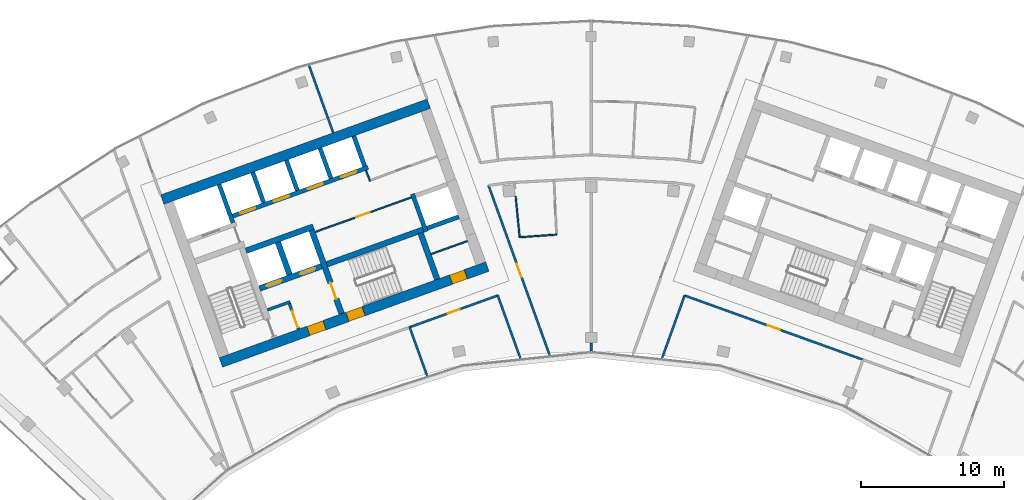
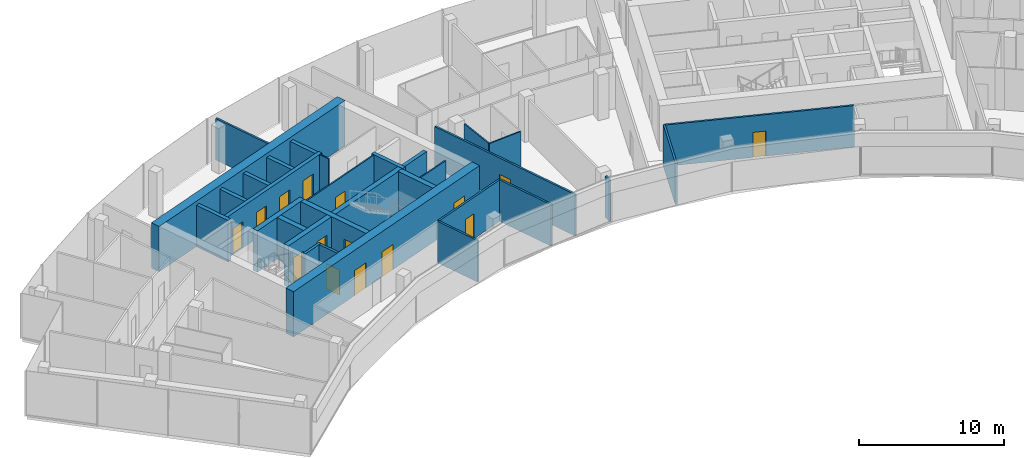
# One storey, part 13 of 18: 30 walls, 15 doors, 15 openings.
"""IFC4 building model written with IfcOpenShell, lengths in metres."""

import ifcopenshell
import ifcopenshell.guid

model = None  # the IFC model being written
_history = None  # IfcOwnerHistory: only IFC2X3 demands one
_inside = {}  # id of a spatial element -> (the spatial element, [elements in it])
_under = {}  # id of a project, library or spatial element -> (it, [spatial elements below it])
_declared = {}  # id of a project -> (the project, [libraries it declares])
_typed = {}  # id of a type object -> (the type object, [elements of that type])
_made_of = {}  # id of a material, layer set ... -> (it, [elements and type objects made of it])


def new_model(schema):
    """Start an empty IFC model of exactly this schema.

    Asked for "IFC4X3", IfcOpenShell would pick the latest addendum, in which some entities
    have other attributes; the version numbers below select the first issue.
    IFC2X3 requires an IfcOwnerHistory on every rooted entity: one is made here for all.
    """
    global model, _history
    if schema == "IFC4X3":
        model = ifcopenshell.file(schema_version=(4, 3, 0, 0))
    else:
        model = ifcopenshell.file(schema=schema)
    _inside.clear()
    _under.clear()
    _declared.clear()
    _typed.clear()
    _made_of.clear()
    _history = None
    if model.schema == "IFC2X3":
        org = make("IfcOrganization", Name="unknown")
        user = make(
            "IfcPersonAndOrganization",
            ThePerson=make("IfcPerson", FamilyName="unknown"),
            TheOrganization=org,
        )
        app = make(
            "IfcApplication",
            ApplicationDeveloper=org,
            Version="unknown",
            ApplicationFullName="unknown",
            ApplicationIdentifier="unknown",
        )
        _history = make(
            "IfcOwnerHistory",
            OwningUser=user,
            OwningApplication=app,
            ChangeAction="ADDED",
            CreationDate=0,
        )
    return model


def make(cls, **values):
    """One entity of the class cls with the attributes given. An attribute that is None is left unset."""
    return model.create_entity(
        cls, **{name: value for name, value in values.items() if value is not None}
    )


def rooted(cls, **values):
    """An entity with a GlobalId (a new one), such as an element, a storey or a relation."""
    return make(cls, GlobalId=ifcopenshell.guid.new(), OwnerHistory=_history, **values)


def si_unit(unit_type, name, prefix=None):
    """IfcSIUnit, for example si_unit("LENGTHUNIT", "METRE", prefix="MILLI")."""
    return make("IfcSIUnit", UnitType=unit_type, Prefix=prefix, Name=name)


def assignment(units):
    """IfcUnitAssignment: the units of a project."""
    return None if units is None else make("IfcUnitAssignment", Units=units)


def point(xyz):
    """IfcCartesianPoint."""
    return None if xyz is None else make("IfcCartesianPoint", Coordinates=xyz)


def direction(xyz):
    """IfcDirection."""
    return None if xyz is None else make("IfcDirection", DirectionRatios=xyz)


def frame(location, z_axis=None, x_axis=None):
    """IfcAxis2Placement3D, a coordinate frame: its origin and axes. An axis left out is left unset."""
    return make(
        "IfcAxis2Placement3D",
        Location=point(location),
        Axis=direction(z_axis),
        RefDirection=direction(x_axis),
    )


def frame_2d(location, x_axis=None):
    """IfcAxis2Placement2D, a coordinate frame in the plane: its origin and x axis."""
    return make(
        "IfcAxis2Placement2D", Location=point(location), RefDirection=direction(x_axis)
    )


def origin():
    """The frame at (0, 0, 0) with its axes left unset."""
    return frame((0.0, 0.0, 0.0))


def place(relative_to, where):
    """IfcLocalPlacement: puts the frame where relative to a parent placement (None: the world)."""
    return make(
        "IfcLocalPlacement", PlacementRelTo=relative_to, RelativePlacement=where
    )


def context(
    kind, dimensions, precision=None, world=None, true_north=None, identifier=None
):
    """IfcGeometricRepresentationContext, for example the 3D "Model" context."""
    return make(
        "IfcGeometricRepresentationContext",
        ContextIdentifier=identifier,
        ContextType=kind,
        CoordinateSpaceDimension=dimensions,
        Precision=precision,
        WorldCoordinateSystem=world,
        TrueNorth=true_north,
    )


def subcontext(parent, identifier, kind, view, scale=None):
    """IfcGeometricRepresentationSubContext, for example "Body" below "Model"."""
    return make(
        "IfcGeometricRepresentationSubContext",
        ContextIdentifier=identifier,
        ContextType=kind,
        ParentContext=parent,
        TargetScale=scale,
        TargetView=view,
    )


def project(units=None, contexts=None):
    """IfcProject with its units and contexts."""
    return rooted(
        "IfcProject",
        Name="project",
        RepresentationContexts=contexts,
        UnitsInContext=assignment(units),
    )


def spatial(cls, under=None, at=None, **own):
    """A site, building, storey or space (cls), placed at a placement, below another one or the project."""
    s = rooted(cls, ObjectPlacement=at, **own)
    if under is not None:
        _under.setdefault(under.id(), (under, []))[1].append(s)
    return s


def profile(cls, at=None, kind="AREA", **sizes):
    """A parametric profile (cls). Its sizes go by their IFC names, for example OverallWidth=200.0."""
    return make(cls, ProfileType=kind, Position=at, **sizes)


def rectangle(**sizes):
    """IfcRectangleProfileDef."""
    return profile("IfcRectangleProfileDef", **sizes)


def extrude(swept, where, along, depth):
    """IfcExtrudedAreaSolid: the profile swept, set in the frame where, extruded along a direction by depth."""
    return make(
        "IfcExtrudedAreaSolid",
        SweptArea=swept,
        Position=where,
        ExtrudedDirection=direction(along),
        Depth=depth,
    )


def shape(context_of_items, identifier, shape_type, items):
    """IfcShapeRepresentation: the items that make up one representation, for example the "Body"."""
    return make(
        "IfcShapeRepresentation",
        ContextOfItems=context_of_items,
        RepresentationIdentifier=identifier,
        RepresentationType=shape_type,
        Items=items,
    )


def material(Name=None, Category=None):
    """IfcMaterial."""
    return make("IfcMaterial", Name=Name, Category=Category)


def layer(
    of_material, thickness, ventilated=None, Name=None, Category=None, Priority=None
):
    """IfcMaterialLayer: one layer of a wall or slab, of a material (None: an air gap)."""
    return make(
        "IfcMaterialLayer",
        Material=of_material,
        LayerThickness=thickness,
        IsVentilated=ventilated,
        Name=Name,
        Category=Category,
        Priority=Priority,
    )


def layer_set(layers, Name=None):
    """IfcMaterialLayerSet."""
    return make("IfcMaterialLayerSet", MaterialLayers=layers, LayerSetName=Name)


def made_of(thing, what):
    """Note that an element or type object is made of a material, layer set ...; save() writes the relation."""
    if what is not None:
        _made_of.setdefault(what.id(), (what, []))[1].append(thing)
    return thing


def type_object(cls, material=None, **own):
    """A type object (cls), such as IfcWallType, which elements share."""
    return made_of(rooted(cls, **own), material)


def element(
    cls,
    number,
    at=None,
    inside=None,
    cuts=None,
    type_object=None,
    material=None,
    context=None,
    identifier="Body",
    shape_type=None,
    held_by="IfcProductDefinitionShape",
    body=None,
    shapes=None,
    **own,
):
    """One element of the class cls, such as IfcWall. Its Tag is "e" and its number.

    at: its placement. inside: the storey or other place that contains it. cuts: it is an
    opening in that element (IfcRelVoidsElement). A single representation is given by context,
    identifier, shape_type and body (its items); several are given by shapes. held_by: the class
    of the entity that holds the representations. save() writes the other relations.
    """
    e = rooted(cls, Tag="e%d" % number, ObjectPlacement=at, **own)
    if body is not None:
        shapes = [shape(context, identifier, shape_type, body)]
    if shapes is not None:
        e.Representation = make(held_by, Representations=shapes)
    if inside is not None:
        _inside.setdefault(inside.id(), (inside, []))[1].append(e)
    if cuts is not None:
        rooted(
            "IfcRelVoidsElement", RelatingBuildingElement=cuts, RelatedOpeningElement=e
        )
    if type_object is not None:
        _typed.setdefault(type_object.id(), (type_object, []))[1].append(e)
    return made_of(e, material)


def fill(opening, filler):
    """IfcRelFillsElement: the door or window that sits in an opening."""
    return rooted(
        "IfcRelFillsElement",
        RelatingOpeningElement=opening,
        RelatedBuildingElement=filler,
    )


def aggregate(whole, parts):
    """IfcRelAggregates: a whole, such as a stair, and the parts it consists of."""
    return rooted("IfcRelAggregates", RelatingObject=whole, RelatedObjects=parts)


def save(model, path):
    """Write the relations noted so far, then the file.

    IfcRelAggregates (storeys below a building ...), IfcRelContainedInSpatialStructure (elements
    in a storey), IfcRelDefinesByType, IfcRelAssociatesMaterial and IfcRelDeclares: one each for
    every whole, place, type object, material and project.
    """
    for whole, parts in _under.values():
        aggregate(whole, parts)
    for where, things in _inside.values():
        rooted(
            "IfcRelContainedInSpatialStructure",
            RelatedElements=things,
            RelatingStructure=where,
        )
    for kind, things in _typed.values():
        rooted("IfcRelDefinesByType", RelatedObjects=things, RelatingType=kind)
    for what, things in _made_of.values():
        rooted("IfcRelAssociatesMaterial", RelatedObjects=things, RelatingMaterial=what)
    for by, libraries in _declared.values():
        rooted("IfcRelDeclares", RelatingContext=by, RelatedDefinitions=libraries)
    model.write(path)


model = new_model("IFC4")

# Units and contexts
model_context = context("Model", 3, precision=1e-05, world=origin(), true_north=direction((0.0, 1.0)))
body_context = subcontext(model_context, "Body", "Model", "MODEL_VIEW")
ifc_project = project(units=[si_unit("LENGTHUNIT", "METRE"), si_unit("AREAUNIT", "SQUARE_METRE"), si_unit("VOLUMEUNIT", "CUBIC_METRE"), si_unit("PLANEANGLEUNIT", "RADIAN"), si_unit("MASSUNIT", "GRAM", prefix="KILO")], contexts=[model_context])

# Site, building, storey
site_placement = place(None, origin())
site = spatial("IfcSite", under=ifc_project, at=site_placement, CompositionType="ELEMENT")
building_placement = place(site_placement, origin())
building = spatial("IfcBuilding", under=site, at=building_placement, Name="Stone Belt Terrace Tower", CompositionType="ELEMENT")
storey_placement = place(building_placement, frame((0.0, 0.0, 288.39990234375)))
storey = spatial("IfcBuildingStorey", under=building, at=storey_placement, Name="L70", CompositionType="ELEMENT", Elevation=288.39990234375)

# Wall, opening, door
ifc_material_1 = material(Name="Plasterboard partition")
ifc_layer_1 = layer(ifc_material_1, 0.10009765625)
ifc_layer_set_1 = layer_set([ifc_layer_1], Name="Core partition 100")
wall_type_1 = type_object("IfcWallType", Name="Core partition 100", PredefinedType="PARTITIONING", material=ifc_layer_set_1)
wall_1_placement = place(storey_placement, frame((-19.29052734375, 51.829833984375, 0.0), z_axis=(0.0, 0.0, 1.0), x_axis=(0.94092179465, 0.338623945331, 0.0)))
wall_1 = element("IfcWall", 1, at=wall_1_placement, inside=storey, type_object=wall_type_1, Name="Core A wall", PredefinedType="PARTITIONING", context=body_context, shape_type="SweptSolid", body=[
    extrude(rectangle(XDim=7.14990234375, YDim=0.10009765625, at=frame_2d((3.574951171875, 0.0))), origin(), (0.0, 0.0, 1.0), 3.47998046875),
])
opening_1_placement = place(wall_1_placement, frame((3.050048828125, 0.0, 0.0)))
opening_1 = element("IfcOpeningElement", 2, at=opening_1_placement, cuts=wall_1, Name="Opening L70-C02", PredefinedType="OPENING", context=body_context, shape_type="SweptSolid", body=[
    extrude(rectangle(XDim=1.0, YDim=2.10009765625, at=frame_2d((0.5, 1.050048828125))), frame((0.0, 0.06005859375, 0.0), z_axis=(0.0, -1.0, 0.0), x_axis=(1.0, 0.0, 0.0)), (0.0, 0.0, 1.0), 0.1201171875),
])
ifc_material_2 = material(Name="Timber door leaf", Category="wood")
door_type_1 = type_object("IfcDoorType", Name="Core room door 1000", OperationType="SINGLE_SWING_LEFT", PredefinedType="DOOR", material=ifc_material_2)
door_1_placement = place(opening_1_placement, origin())
door_1 = element("IfcDoor", 3, at=door_1_placement, inside=storey, type_object=door_type_1, Name="Door to Plant room core A", OperationType="SINGLE_SWING_RIGHT", OverallHeight=2.10009765625, OverallWidth=1.0, PredefinedType="DOOR", context=body_context, shape_type="SweptSolid", body=[
    extrude(rectangle(XDim=1.0, YDim=2.10009765625, at=frame_2d((0.5, 1.050048828125))), frame((0.0, 0.02490234375, 0.0), z_axis=(0.0, -1.0, 0.0), x_axis=(1.0, 0.0, 0.0)), (0.0, 0.0, 1.0), 0.050048828125),
])
fill(opening_1, door_1)

# Walls
wall_2_placement = place(storey_placement, frame((-15.46826171875, 55.384033203125, 0.0), z_axis=(0.0, 0.0, 1.0), x_axis=(-0.338481684961, 0.940972979923, 0.0)))
element("IfcWall", 4, at=wall_2_placement, inside=storey, type_object=wall_type_1, Name="Core A wall", PredefinedType="PARTITIONING", context=body_context, shape_type="SweptSolid", body=[
    extrude(rectangle(XDim=0.7998046875, YDim=0.10009765625, at=frame_2d((0.39990234375, 0.0))), origin(), (0.0, 0.0, 1.0), 3.47998046875),
])
wall_3_placement = place(storey_placement, frame((-11.187744140625, 50.2822265625, 0.0), z_axis=(0.0, 0.0, 1.0), x_axis=(0.940949642365, 0.338546555931, 0.0)))
element("IfcWall", 5, at=wall_3_placement, inside=storey, type_object=wall_type_1, Name="Core A wall", PredefinedType="PARTITIONING", context=body_context, shape_type="SweptSolid", body=[
    extrude(rectangle(XDim=2.699951171875, YDim=0.10009765625, at=frame_2d((1.35009765625, 0.0))), origin(), (0.0, 0.0, 1.0), 3.47998046875),
])

# Wall, openings, doors
ifc_material_3 = material(Name="Concrete B60", Category="concrete")
ifc_layer_2 = layer(ifc_material_3, 0.699951171875)
ifc_layer_set_2 = layer_set([ifc_layer_2], Name="Core wall 700 B60")
wall_type_2 = type_object("IfcWallType", Name="Core wall 700 B60", PredefinedType="SHEAR", material=ifc_layer_set_2)
wall_4_placement = place(storey_placement, frame((-25.890869140625, 42.705810546875, 0.0), z_axis=(0.0, 0.0, 1.0), x_axis=(0.940925130461, 0.338614676094, 0.0)))
wall_4 = element("IfcWall", 6, at=wall_4_placement, inside=storey, type_object=wall_type_2, Name="Core A wall concave L70", PredefinedType="SHEAR", context=body_context, shape_type="SweptSolid", body=[
    extrude(rectangle(XDim=19.800048828125, YDim=0.699951171875, at=frame_2d((9.89990234375, 0.0))), origin(), (0.0, 0.0, 1.0), 3.800048828125),
])
opening_2_placement = place(wall_4_placement, frame((6.5, 0.0, 0.0)))
opening_2 = element("IfcOpeningElement", 7, at=opening_2_placement, cuts=wall_4, Name="Opening L70-C07", PredefinedType="OPENING", context=body_context, shape_type="SweptSolid", body=[
    extrude(rectangle(XDim=1.199951171875, YDim=2.10009765625, at=frame_2d((0.60009765625, 1.050048828125))), frame((0.0, 0.35986328125, 0.0), z_axis=(0.0, -1.0, 0.0), x_axis=(1.0, 0.0, 0.0)), (0.0, 0.0, 1.0), 0.719970703125),
])
opening_3_placement = place(wall_4_placement, frame((9.39990234375, 0.0, 0.0)))
opening_3 = element("IfcOpeningElement", 8, at=opening_3_placement, cuts=wall_4, Name="Opening L70-C09", PredefinedType="OPENING", context=body_context, shape_type="SweptSolid", body=[
    extrude(rectangle(XDim=1.199951171875, YDim=2.10009765625, at=frame_2d((0.60009765625, 1.050048828125))), frame((0.0, 0.35986328125, 0.0), z_axis=(0.0, -1.0, 0.0), x_axis=(1.0, 0.0, 0.0)), (0.0, 0.0, 1.0), 0.719970703125),
])
opening_4_placement = place(wall_4_placement, frame((17.10009765625, 0.0, 0.0)))
opening_4 = element("IfcOpeningElement", 9, at=opening_4_placement, cuts=wall_4, Name="Opening L70-C11", PredefinedType="OPENING", context=body_context, shape_type="SweptSolid", body=[
    extrude(rectangle(XDim=1.10009765625, YDim=2.10009765625, at=frame_2d((0.550048828125, 1.050048828125))), frame((0.0, 0.35986328125, 0.0), z_axis=(0.0, -1.0, 0.0), x_axis=(1.0, 0.0, 0.0)), (0.0, 0.0, 1.0), 0.719970703125),
])
door_type_2 = type_object("IfcDoorType", Name="Core room door 1100", OperationType="SINGLE_SWING_LEFT", PredefinedType="DOOR", material=ifc_material_2)
door_2_placement = place(opening_4_placement, origin())
door_2 = element("IfcDoor", 10, at=door_2_placement, inside=storey, type_object=door_type_2, Name="Door to Cleaner's store core A", OperationType="SINGLE_SWING_RIGHT", OverallHeight=2.10009765625, OverallWidth=1.10009765625, PredefinedType="DOOR", context=body_context, shape_type="SweptSolid", body=[
    extrude(rectangle(XDim=1.10009765625, YDim=2.10009765625, at=frame_2d((0.550048828125, 1.050048828125))), frame((0.0, 0.330078125, 0.0), z_axis=(0.0, -1.0, 0.0), x_axis=(1.0, 0.0, 0.0)), (0.0, 0.0, 1.0), 0.659912109375),
])
fill(opening_4, door_2)
ifc_material_4 = material(Name="Steel door leaf", Category="steel")
door_type_3 = type_object("IfcDoorType", Name="Fire-fighting lobby door 1200", OperationType="SINGLE_SWING_LEFT", PredefinedType="DOOR", material=ifc_material_4)
door_3_placement = place(opening_2_placement, origin())
door_3 = element("IfcDoor", 11, at=door_3_placement, inside=storey, type_object=door_type_3, Name="Fire-fighting lobby door core A", OperationType="SINGLE_SWING_RIGHT", OverallHeight=2.10009765625, OverallWidth=1.199951171875, PredefinedType="DOOR", context=body_context, shape_type="SweptSolid", body=[
    extrude(rectangle(XDim=1.199951171875, YDim=2.10009765625, at=frame_2d((0.60009765625, 1.050048828125))), frame((0.0, 0.330078125, 0.0), z_axis=(0.0, -1.0, 0.0), x_axis=(1.0, 0.0, 0.0)), (0.0, 0.0, 1.0), 0.659912109375),
])
fill(opening_2, door_3)
door_type_4 = type_object("IfcDoorType", Name="Stair door 1200", OperationType="SINGLE_SWING_LEFT", PredefinedType="DOOR", material=ifc_material_4)
door_4_placement = place(opening_3_placement, origin())
door_4 = element("IfcDoor", 12, at=door_4_placement, inside=storey, type_object=door_type_4, Name="Stair 2 exit door core A", OperationType="SINGLE_SWING_LEFT", OverallHeight=2.10009765625, OverallWidth=1.199951171875, PredefinedType="DOOR", context=body_context, shape_type="SweptSolid", body=[
    extrude(rectangle(XDim=1.199951171875, YDim=2.10009765625, at=frame_2d((0.60009765625, 1.050048828125))), frame((0.0, 0.330078125, 0.0), z_axis=(0.0, -1.0, 0.0), x_axis=(1.0, 0.0, 0.0)), (0.0, 0.0, 1.0), 0.659912109375),
])
fill(opening_3, door_4)

# Walls
wall_5_placement = place(storey_placement, frame((-29.988037109375, 54.0908203125, 0.0), z_axis=(0.0, 0.0, 1.0), x_axis=(0.940919787944, 0.33862952124, 0.0)))
element("IfcWall", 13, at=wall_5_placement, inside=storey, type_object=wall_type_2, Name="Core A wall convex L70", PredefinedType="SHEAR", context=body_context, shape_type="SweptSolid", body=[
    extrude(rectangle(XDim=19.7998046875, YDim=0.699951171875, at=frame_2d((9.89990234375, 0.0))), origin(), (0.0, 0.0, 1.0), 3.800048828125),
])
ifc_material_5 = material(Name="Concrete B80", Category="concrete")
ifc_layer_3 = layer(ifc_material_5, 0.39990234375)
ifc_layer_set_3 = layer_set([ifc_layer_3], Name="Fire-fighting lift shaft wall 400")
wall_type_3 = type_object("IfcWallType", Name="Fire-fighting lift shaft wall 400", PredefinedType="SHEAR", material=ifc_layer_set_3)
wall_6_placement = place(storey_placement, frame((-24.130615234375, 50.512939453125, 0.0), z_axis=(0.0, 0.0, 1.0), x_axis=(0.94091168377, 0.338652038744, 0.0)))
element("IfcWall", 14, at=wall_6_placement, inside=storey, type_object=wall_type_3, Name="Core A wall", PredefinedType="SHEAR", context=body_context, shape_type="SweptSolid", body=[
    extrude(rectangle(XDim=5.000244140625, YDim=0.39990234375, at=frame_2d((2.5, 0.0))), origin(), (0.0, 0.0, 1.0), 3.47998046875),
])
wall_7_placement = place(storey_placement, frame((-21.0859375, 48.845458984375, 0.0), z_axis=(0.0, 0.0, 1.0), x_axis=(-0.338629416206, 0.940919825745, 0.0)))
element("IfcWall", 15, at=wall_7_placement, inside=storey, type_object=wall_type_3, Name="Core A wall", PredefinedType="SHEAR", context=body_context, shape_type="SweptSolid", body=[
    extrude(rectangle(XDim=2.400146484375, YDim=0.39990234375, at=frame_2d((1.2001953125, 0.0))), origin(), (0.0, 0.0, 1.0), 3.47998046875),
])
ifc_layer_4 = layer(ifc_material_5, 0.300048828125)
ifc_layer_set_4 = layer_set([ifc_layer_4], Name="Lift shaft wall 300")
wall_type_4 = type_object("IfcWallType", Name="Lift shaft wall 300", PredefinedType="SHEAR", material=ifc_layer_set_4)
wall_8_placement = place(storey_placement, frame((-25.046875, 52.46826171875, 0.0), z_axis=(0.0, 0.0, 1.0), x_axis=(-0.338549588058, 0.940948551423, 0.0)))
element("IfcWall", 16, at=wall_8_placement, inside=storey, type_object=wall_type_4, Name="Core A wall", PredefinedType="SHEAR", context=body_context, shape_type="SweptSolid", body=[
    extrude(rectangle(XDim=2.849853515625, YDim=0.300048828125, at=frame_2d((1.4248046875, 0.0))), origin(), (0.0, 0.0, 1.0), 3.47998046875),
])

# Wall, openings, doors
wall_9_placement = place(storey_placement, frame((-25.05810546875, 52.9423828125, 0.0), z_axis=(0.0, 0.0, 1.0), x_axis=(0.940917446785, 0.338636026339, 0.0)))
wall_9 = element("IfcWall", 17, at=wall_9_placement, inside=storey, type_object=wall_type_4, Name="Core A wall", PredefinedType="SHEAR", context=body_context, shape_type="SweptSolid", body=[
    extrude(rectangle(XDim=10.050048828125, YDim=0.300048828125, at=frame_2d((5.02490234375, 0.0))), origin(), (0.0, 0.0, 1.0), 3.47998046875),
])
opening_5_placement = place(wall_9_placement, frame((0.570068359375, 0.0, 0.0)))
opening_5 = element("IfcOpeningElement", 18, at=opening_5_placement, cuts=wall_9, Name="Opening L70-LD01", PredefinedType="OPENING", context=body_context, shape_type="SweptSolid", body=[
    extrude(rectangle(XDim=1.10009765625, YDim=2.199951171875, at=frame_2d((0.550048828125, 1.10009765625))), frame((0.0, 0.159912109375, 0.0), z_axis=(0.0, -1.0, 0.0), x_axis=(1.0, 0.0, 0.0)), (0.0, 0.0, 1.0), 0.320068359375),
])
opening_6_placement = place(wall_9_placement, frame((3.070068359375, 0.0, 0.0)))
opening_6 = element("IfcOpeningElement", 19, at=opening_6_placement, cuts=wall_9, Name="Opening L70-LD02", PredefinedType="OPENING", context=body_context, shape_type="SweptSolid", body=[
    extrude(rectangle(XDim=1.10009765625, YDim=2.199951171875, at=frame_2d((0.550048828125, 1.10009765625))), frame((0.0, 0.159912109375, 0.0), z_axis=(0.0, -1.0, 0.0), x_axis=(1.0, 0.0, 0.0)), (0.0, 0.0, 1.0), 0.320068359375),
])
opening_7_placement = place(wall_9_placement, frame((5.570068359375, 0.0, 0.0)))
opening_7 = element("IfcOpeningElement", 20, at=opening_7_placement, cuts=wall_9, Name="Opening L70-LD03", PredefinedType="OPENING", context=body_context, shape_type="SweptSolid", body=[
    extrude(rectangle(XDim=1.10009765625, YDim=2.199951171875, at=frame_2d((0.550048828125, 1.10009765625))), frame((0.0, 0.159912109375, 0.0), z_axis=(0.0, -1.0, 0.0), x_axis=(1.0, 0.0, 0.0)), (0.0, 0.0, 1.0), 0.320068359375),
])
opening_8_placement = place(wall_9_placement, frame((8.070068359375, 0.0, 0.0)))
opening_8 = element("IfcOpeningElement", 21, at=opening_8_placement, cuts=wall_9, Name="Opening L70-LD04", PredefinedType="OPENING", context=body_context, shape_type="SweptSolid", body=[
    extrude(rectangle(XDim=1.10009765625, YDim=2.199951171875, at=frame_2d((0.550048828125, 1.10009765625))), frame((0.0, 0.159912109375, 0.0), z_axis=(0.0, -1.0, 0.0), x_axis=(1.0, 0.0, 0.0)), (0.0, 0.0, 1.0), 0.320068359375),
])
ifc_material_6 = material(Name="Stainless steel door leaf", Category="steel")
door_type_5 = type_object("IfcDoorType", Name="Landing door 1100", OperationType="SLIDING_TO_LEFT", PredefinedType="DOOR", material=ifc_material_6)
door_5_placement = place(opening_5_placement, origin())
door_5 = element("IfcDoor", 22, at=door_5_placement, inside=storey, type_object=door_type_5, Name="Landing door HR1 core A", OperationType="SLIDING_TO_LEFT", OverallHeight=2.199951171875, OverallWidth=1.10009765625, PredefinedType="DOOR", context=body_context, shape_type="SweptSolid", body=[
    extrude(rectangle(XDim=1.10009765625, YDim=2.199951171875, at=frame_2d((0.550048828125, 1.10009765625))), frame((0.0, 0.02490234375, 0.0), z_axis=(0.0, -1.0, 0.0), x_axis=(1.0, 0.0, 0.0)), (0.0, 0.0, 1.0), 0.050048828125),
])
fill(opening_5, door_5)
door_6_placement = place(opening_6_placement, origin())
door_6 = element("IfcDoor", 23, at=door_6_placement, inside=storey, type_object=door_type_5, Name="Landing door HR2 core A", OperationType="SLIDING_TO_LEFT", OverallHeight=2.199951171875, OverallWidth=1.10009765625, PredefinedType="DOOR", context=body_context, shape_type="SweptSolid", body=[
    extrude(rectangle(XDim=1.10009765625, YDim=2.199951171875, at=frame_2d((0.550048828125, 1.10009765625))), frame((0.0, 0.02490234375, 0.0), z_axis=(0.0, -1.0, 0.0), x_axis=(1.0, 0.0, 0.0)), (0.0, 0.0, 1.0), 0.050048828125),
])
fill(opening_6, door_6)
door_7_placement = place(opening_7_placement, origin())
door_7 = element("IfcDoor", 24, at=door_7_placement, inside=storey, type_object=door_type_5, Name="Landing door HR3 core A", OperationType="SLIDING_TO_LEFT", OverallHeight=2.199951171875, OverallWidth=1.10009765625, PredefinedType="DOOR", context=body_context, shape_type="SweptSolid", body=[
    extrude(rectangle(XDim=1.10009765625, YDim=2.199951171875, at=frame_2d((0.550048828125, 1.10009765625))), frame((0.0, 0.02490234375, 0.0), z_axis=(0.0, -1.0, 0.0), x_axis=(1.0, 0.0, 0.0)), (0.0, 0.0, 1.0), 0.050048828125),
])
fill(opening_7, door_7)
door_8_placement = place(opening_8_placement, origin())
door_8 = element("IfcDoor", 25, at=door_8_placement, inside=storey, type_object=door_type_5, Name="Landing door HR4 core A", OperationType="SLIDING_TO_LEFT", OverallHeight=2.199951171875, OverallWidth=1.10009765625, PredefinedType="DOOR", context=body_context, shape_type="SweptSolid", body=[
    extrude(rectangle(XDim=1.10009765625, YDim=2.199951171875, at=frame_2d((0.550048828125, 1.10009765625))), frame((0.0, 0.02490234375, 0.0), z_axis=(0.0, -1.0, 0.0), x_axis=(1.0, 0.0, 0.0)), (0.0, 0.0, 1.0), 0.050048828125),
])
fill(opening_8, door_8)

# Walls
wall_10_placement = place(storey_placement, frame((-22.897705078125, 53.87939453125, 0.0), z_axis=(0.0, 0.0, 1.0), x_axis=(-0.338535034312, 0.940953787677, 0.0)))
element("IfcWall", 26, at=wall_10_placement, inside=storey, type_object=wall_type_4, Name="Core A wall", PredefinedType="SHEAR", context=body_context, shape_type="SweptSolid", body=[
    extrude(rectangle(XDim=2.25, YDim=0.300048828125, at=frame_2d((1.125, 0.0))), origin(), (0.0, 0.0, 1.0), 3.47998046875),
])
wall_11_placement = place(storey_placement, frame((-20.54541015625, 54.72607421875, 0.0), z_axis=(0.0, 0.0, 1.0), x_axis=(-0.338569601369, 0.940941350472, 0.0)))
element("IfcWall", 27, at=wall_11_placement, inside=storey, type_object=wall_type_4, Name="Core A wall", PredefinedType="SHEAR", context=body_context, shape_type="SweptSolid", body=[
    extrude(rectangle(XDim=2.249755859375, YDim=0.300048828125, at=frame_2d((1.125, 0.0))), origin(), (0.0, 0.0, 1.0), 3.47998046875),
])
wall_12_placement = place(storey_placement, frame((-18.193115234375, 55.572509765625, 0.0), z_axis=(0.0, 0.0, 1.0), x_axis=(-0.338535034312, 0.940953787677, 0.0)))
element("IfcWall", 28, at=wall_12_placement, inside=storey, type_object=wall_type_4, Name="Core A wall", PredefinedType="SHEAR", context=body_context, shape_type="SweptSolid", body=[
    extrude(rectangle(XDim=2.25, YDim=0.300048828125, at=frame_2d((1.125, 0.0))), origin(), (0.0, 0.0, 1.0), 3.47998046875),
])
wall_13_placement = place(storey_placement, frame((-15.8408203125, 56.419189453125, 0.0), z_axis=(0.0, 0.0, 1.0), x_axis=(-0.338569601369, 0.940941350472, 0.0)))
element("IfcWall", 29, at=wall_13_placement, inside=storey, type_object=wall_type_4, Name="Core A wall", PredefinedType="SHEAR", context=body_context, shape_type="SweptSolid", body=[
    extrude(rectangle(XDim=2.249755859375, YDim=0.300048828125, at=frame_2d((1.125, 0.0))), origin(), (0.0, 0.0, 1.0), 3.47998046875),
])
wall_14_placement = place(storey_placement, frame((-11.541259765625, 51.85546875, 0.0), z_axis=(0.0, 0.0, 1.0), x_axis=(-0.338660803216, 0.940908529223, 0.0)))
element("IfcWall", 30, at=wall_14_placement, inside=storey, type_object=wall_type_4, Name="Core A wall", PredefinedType="SHEAR", context=body_context, shape_type="SweptSolid", body=[
    extrude(rectangle(XDim=2.800048828125, YDim=0.300048828125, at=frame_2d((1.39990234375, 0.0))), origin(), (0.0, 0.0, 1.0), 3.47998046875),
])
wall_15_placement = place(storey_placement, frame((-11.468017578125, 52.09423828125, 0.0), z_axis=(0.0, 0.0, 1.0), x_axis=(0.940904627055, 0.338671644496, 0.0)))
element("IfcWall", 31, at=wall_15_placement, inside=storey, type_object=wall_type_4, Name="Core A wall", PredefinedType="SHEAR", context=body_context, shape_type="SweptSolid", body=[
    extrude(rectangle(XDim=2.35009765625, YDim=0.300048828125, at=frame_2d((1.175048828125, 0.0))), origin(), (0.0, 0.0, 1.0), 3.47998046875),
])
ifc_material_7 = material(Name="Gypsum board partition")
ifc_layer_5 = layer(ifc_material_7, 0.10009765625)
ifc_layer_set_5 = layer_set([ifc_layer_5], Name="PARTITION 100")
wall_type_5 = type_object("IfcWallType", Name="PARTITION 100", PredefinedType="PARTITIONING", material=ifc_layer_set_5)
wall_16_placement = place(storey_placement, frame((-5.2822265625, 54.330322265625, 0.0), z_axis=(0.0, 0.0, 1.0), x_axis=(0.096878993902, -0.995296167249, 0.0)))
element("IfcWall", 32, at=wall_16_placement, inside=storey, type_object=wall_type_5, Name="L70/wall/i094", PredefinedType="PARTITIONING", context=body_context, shape_type="SweptSolid", body=[
    extrude(rectangle(XDim=2.883056640625, YDim=0.10009765625, at=frame_2d((1.44140625, 0.0))), origin(), (0.0, 0.0, 1.0), 3.47998046875),
])
wall_17_placement = place(storey_placement, frame((-5.0029296875, 51.4609375, 0.0), z_axis=(0.0, 0.0, 1.0), x_axis=(0.997414466357, 0.071863636854, 0.0)))
element("IfcWall", 33, at=wall_17_placement, inside=storey, type_object=wall_type_5, Name="L70/wall/i095", PredefinedType="PARTITIONING", context=body_context, shape_type="SweptSolid", body=[
    extrude(rectangle(XDim=2.588623046875, YDim=0.10009765625, at=frame_2d((1.29443359375, 0.0))), origin(), (0.0, 0.0, 1.0), 3.47998046875),
])
ifc_layer_6 = layer(ifc_material_7, 0.14990234375)
ifc_layer_set_6 = layer_set([ifc_layer_6], Name="PARTITION 150 EI 60")
wall_type_6 = type_object("IfcWallType", Name="PARTITION 150 EI 60", PredefinedType="PARTITIONING", material=ifc_layer_set_6)
wall_18_placement = place(storey_placement, frame((-4.9462890625, 42.980224609375, 0.0), z_axis=(0.0, 0.0, 1.0), x_axis=(-0.338653121837, 0.940911293943, 0.0)))
element("IfcWall", 34, at=wall_18_placement, inside=storey, type_object=wall_type_6, Name="L70/wall/i009", PredefinedType="PARTITIONING", context=body_context, shape_type="SweptSolid", body=[
    extrude(rectangle(XDim=4.69091796875, YDim=0.14990234375, at=frame_2d((2.345458984375, 0.0))), origin(), (0.0, 0.0, 1.0), 3.47998046875),
])

# Wall, opening, door
wall_19_placement = place(storey_placement, frame((-7.177978515625, 55.089111328125, 0.0), z_axis=(0.0, 0.0, 1.0), x_axis=(0.338597725617, -0.940931230328, 0.0)))
wall_19 = element("IfcWall", 35, at=wall_19_placement, inside=storey, type_object=wall_type_6, Name="L70/wall/i011", PredefinedType="PARTITIONING", context=body_context, shape_type="SweptSolid", body=[
    extrude(rectangle(XDim=12.640380859375, YDim=0.14990234375, at=frame_2d((6.3203125, 0.0))), origin(), (0.0, 0.0, 1.0), 3.47998046875),
])
opening_9_placement = place(wall_19_placement, frame((5.820068359375, 0.0, 0.0)))
opening_9 = element("IfcOpeningElement", 36, at=opening_9_placement, cuts=wall_19, Name="Opening D-E3-24", PredefinedType="OPENING", context=body_context, shape_type="SweptSolid", body=[
    extrude(rectangle(XDim=1.0, YDim=2.10009765625, at=frame_2d((0.5, 1.050048828125))), frame((0.0, 0.0849609375, 0.0), z_axis=(0.0, -1.0, 0.0), x_axis=(1.0, 0.0, 0.0)), (0.0, 0.0, 1.0), 0.169921875),
])
ifc_material_8 = material(Name="Timber fire door leaf", Category="wood")
door_type_6 = type_object("IfcDoorType", Name="TENANCY ENTRANCE DOOR 1000 X 2100", OperationType="NOTDEFINED", PredefinedType="DOOR", material=ifc_material_8)
door_9_placement = place(opening_9_placement, origin())
door_9 = element("IfcDoor", 37, at=door_9_placement, inside=storey, type_object=door_type_6, Name="L70/door/i24", OperationType="SINGLE_SWING_LEFT", OverallHeight=2.10009765625, OverallWidth=1.0, PredefinedType="DOOR", context=body_context, shape_type="SweptSolid", body=[
    extrude(rectangle(XDim=1.0, YDim=2.10009765625, at=frame_2d((0.5, 1.050048828125))), frame((0.0, 0.02490234375, 0.0), z_axis=(0.0, -1.0, 0.0), x_axis=(1.0, 0.0, 0.0)), (0.0, 0.0, 1.0), 0.050048828125),
])
fill(opening_9, door_9)

wall_20_placement = place(storey_placement, frame((-6.532958984375, 47.387939453125, 0.0), z_axis=(0.0, 0.0, 1.0), x_axis=(-0.940924925446, -0.338615245779, 0.0)))
wall_20 = element("IfcWall", 38, at=wall_20_placement, inside=storey, type_object=wall_type_6, Name="L70/wall/i014", PredefinedType="PARTITIONING", context=body_context, shape_type="SweptSolid", body=[
    extrude(rectangle(XDim=6.55322265625, YDim=0.14990234375, at=frame_2d((3.276611328125, 0.0))), origin(), (0.0, 0.0, 1.0), 3.47998046875),
])
opening_10_placement = place(wall_20_placement, frame((2.82666015625, 0.0, 0.0)))
opening_10 = element("IfcOpeningElement", 39, at=opening_10_placement, cuts=wall_20, Name="Opening D-E3-02", PredefinedType="OPENING", context=body_context, shape_type="SweptSolid", body=[
    extrude(rectangle(XDim=0.89990234375, YDim=2.10009765625, at=frame_2d((0.449951171875, 1.050048828125))), frame((0.0, 0.0849609375, 0.0), z_axis=(0.0, -1.0, 0.0), x_axis=(1.0, 0.0, 0.0)), (0.0, 0.0, 1.0), 0.169921875),
])
door_type_7 = type_object("IfcDoorType", Name="OFFICE DOOR 900 X 2100", OperationType="NOTDEFINED", PredefinedType="DOOR", material=ifc_material_2)
door_10_placement = place(opening_10_placement, origin())
door_10 = element("IfcDoor", 40, at=door_10_placement, inside=storey, type_object=door_type_7, Name="L70/door/i02", OperationType="SINGLE_SWING_RIGHT", OverallHeight=2.10009765625, OverallWidth=0.89990234375, PredefinedType="DOOR", context=body_context, shape_type="SweptSolid", body=[
    extrude(rectangle(XDim=0.89990234375, YDim=2.10009765625, at=frame_2d((0.449951171875, 1.050048828125))), frame((0.0, 0.02490234375, 0.0), z_axis=(0.0, -1.0, 0.0), x_axis=(1.0, 0.0, 0.0)), (0.0, 0.0, 1.0), 0.050048828125),
])
fill(opening_10, door_10)

# Walls
wall_21_placement = place(storey_placement, frame((-12.693115234375, 45.169921875, 0.0), z_axis=(0.0, 0.0, 1.0), x_axis=(0.33854758837, -0.940949270901, 0.0)))
element("IfcWall", 41, at=wall_21_placement, inside=storey, type_object=wall_type_6, Name="L70/wall/i015", PredefinedType="PARTITIONING", context=body_context, shape_type="SweptSolid", body=[
    extrude(rectangle(XDim=3.62158203125, YDim=0.14990234375, at=frame_2d((1.810791015625, 0.0))), origin(), (0.0, 0.0, 1.0), 3.47998046875),
])
wall_22_placement = place(storey_placement, frame((-19.726806640625, 63.465087890625, 0.0), z_axis=(0.0, 0.0, 1.0), x_axis=(0.338688316886, -0.940898625785, 0.0)))
element("IfcWall", 42, at=wall_22_placement, inside=storey, type_object=wall_type_6, Name="L70/wall/i016", PredefinedType="PARTITIONING", context=body_context, shape_type="SweptSolid", body=[
    extrude(rectangle(XDim=4.995361328125, YDim=0.14990234375, at=frame_2d((2.49755859375, 0.0))), origin(), (0.0, 0.0, 1.0), 3.47998046875),
])
wall_23_placement = place(storey_placement, frame((6.534912109375, 47.39404296875, 0.0), z_axis=(0.0, 0.0, 1.0), x_axis=(-0.338653121837, -0.940911293943, 0.0)))
element("IfcWall", 43, at=wall_23_placement, inside=storey, type_object=wall_type_6, Name="L70/wall/i017", PredefinedType="PARTITIONING", context=body_context, shape_type="SweptSolid", body=[
    extrude(rectangle(XDim=4.69091796875, YDim=0.14990234375, at=frame_2d((2.345458984375, 0.0))), origin(), (0.0, 0.0, 1.0), 3.47998046875),
])

# Wall, opening, door
wall_24_placement = place(storey_placement, frame((19.008056640625, 42.89794921875, 0.0), z_axis=(0.0, 0.0, 1.0), x_axis=(-0.940912526234, 0.338649698031, 0.0)))
wall_24 = element("IfcWall", 44, at=wall_24_placement, inside=storey, type_object=wall_type_6, Name="L70/wall/i029", PredefinedType="PARTITIONING", context=body_context, shape_type="SweptSolid", body=[
    extrude(rectangle(XDim=13.258544921875, YDim=0.14990234375, at=frame_2d((6.62939453125, 0.0))), origin(), (0.0, 0.0, 1.0), 3.47998046875),
])
opening_11_placement = place(wall_24_placement, frame((6.17919921875, 0.0, 0.0)))
opening_11 = element("IfcOpeningElement", 45, at=opening_11_placement, cuts=wall_24, Name="Opening D-E3-05", PredefinedType="OPENING", context=body_context, shape_type="SweptSolid", body=[
    extrude(rectangle(XDim=0.89990234375, YDim=2.10009765625, at=frame_2d((0.449951171875, 1.050048828125))), frame((0.0, 0.0849609375, 0.0), z_axis=(0.0, -1.0, 0.0), x_axis=(1.0, 0.0, 0.0)), (0.0, 0.0, 1.0), 0.169921875),
])
door_11_placement = place(opening_11_placement, origin())
door_11 = element("IfcDoor", 46, at=door_11_placement, inside=storey, type_object=door_type_7, Name="L70/door/i05", OperationType="SINGLE_SWING_RIGHT", OverallHeight=2.10009765625, OverallWidth=0.89990234375, PredefinedType="DOOR", context=body_context, shape_type="SweptSolid", body=[
    extrude(rectangle(XDim=0.89990234375, YDim=2.10009765625, at=frame_2d((0.449951171875, 1.050048828125))), frame((0.0, 0.02490234375, 0.0), z_axis=(0.0, -1.0, 0.0), x_axis=(1.0, 0.0, 0.0)), (0.0, 0.0, 1.0), 0.050048828125),
])
fill(opening_11, door_11)

# Walls
wall_25_placement = place(storey_placement, frame((0.0, 44.06494140625, 0.0), z_axis=(0.0, 0.0, 1.0), x_axis=(0.0, -1.0, 0.0)))
element("IfcWall", 47, at=wall_25_placement, inside=storey, type_object=wall_type_6, Name="L70/wall/i098", PredefinedType="PARTITIONING", context=body_context, shape_type="SweptSolid", body=[
    extrude(rectangle(XDim=0.56494140625, YDim=0.14990234375, at=frame_2d((0.282470703125, 0.0))), origin(), (0.0, 0.0, 1.0), 3.47998046875),
])
ifc_material_9 = material(Name="Concrete masonry block", Category="masonry")
ifc_layer_7 = layer(ifc_material_9, 0.199951171875)
ifc_layer_set_7 = layer_set([ifc_layer_7], Name="Rated lobby wall 200")
wall_type_7 = type_object("IfcWallType", Name="Rated lobby wall 200", PredefinedType="PARTITIONING", material=ifc_layer_set_7)
wall_26_placement = place(storey_placement, frame((-22.640625, 46.373046875, 0.0), z_axis=(0.0, 0.0, 1.0), x_axis=(0.940966110313, 0.338500781747, 0.0)))
element("IfcWall", 48, at=wall_26_placement, inside=storey, type_object=wall_type_7, Name="Core A wall", PredefinedType="PARTITIONING", context=body_context, shape_type="SweptSolid", body=[
    extrude(rectangle(XDim=1.699951171875, YDim=0.199951171875, at=frame_2d((0.85009765625, 0.0))), origin(), (0.0, 0.0, 1.0), 3.47998046875),
])

# Wall, opening, door
wall_27_placement = place(storey_placement, frame((-20.4580078125, 45.032958984375, 0.0), z_axis=(0.0, 0.0, 1.0), x_axis=(-0.338573865316, 0.940939816208, 0.0)))
wall_27 = element("IfcWall", 49, at=wall_27_placement, inside=storey, type_object=wall_type_7, Name="Core A wall", PredefinedType="PARTITIONING", context=body_context, shape_type="SweptSolid", body=[
    extrude(rectangle(XDim=1.900146484375, YDim=0.199951171875, at=frame_2d((0.9501953125, 0.0))), origin(), (0.0, 0.0, 1.0), 3.47998046875),
])
opening_12_placement = place(wall_27_placement, frame((0.14990234375, 0.0, 0.0)))
opening_12 = element("IfcOpeningElement", 50, at=opening_12_placement, cuts=wall_27, Name="Opening L70-C06", PredefinedType="OPENING", context=body_context, shape_type="SweptSolid", body=[
    extrude(rectangle(XDim=1.199951171875, YDim=2.10009765625, at=frame_2d((0.60009765625, 1.050048828125))), frame((0.0, 0.10986328125, 0.0), z_axis=(0.0, -1.0, 0.0), x_axis=(1.0, 0.0, 0.0)), (0.0, 0.0, 1.0), 0.219970703125),
])
door_12_placement = place(opening_12_placement, origin())
door_12 = element("IfcDoor", 51, at=door_12_placement, inside=storey, type_object=door_type_4, Name="Stair airlock door core A", OperationType="SINGLE_SWING_RIGHT", OverallHeight=2.10009765625, OverallWidth=1.199951171875, PredefinedType="DOOR", context=body_context, shape_type="SweptSolid", body=[
    extrude(rectangle(XDim=1.199951171875, YDim=2.10009765625, at=frame_2d((0.60009765625, 1.050048828125))), frame((0.0, 0.02490234375, 0.0), z_axis=(0.0, -1.0, 0.0), x_axis=(1.0, 0.0, 0.0)), (0.0, 0.0, 1.0), 0.050048828125),
])
fill(opening_12, door_12)

# Wall, openings, doors
ifc_layer_8 = layer(ifc_material_5, 0.39990234375)
ifc_layer_set_8 = layer_set([ifc_layer_8], Name="Stair enclosure wall 400")
wall_type_8 = type_object("IfcWallType", Name="Stair enclosure wall 400", PredefinedType="SHEAR", material=ifc_layer_set_8)
wall_28_placement = place(storey_placement, frame((-23.182373046875, 47.87841796875, 0.0), z_axis=(0.0, 0.0, 1.0), x_axis=(0.940921731919, 0.338624119641, 0.0)))
wall_28 = element("IfcWall", 52, at=wall_28_placement, inside=storey, type_object=wall_type_8, Name="Core A wall", PredefinedType="SHEAR", context=body_context, shape_type="SweptSolid", body=[
    extrude(rectangle(XDim=12.14990234375, YDim=0.39990234375, at=frame_2d((6.074951171875, 0.0))), origin(), (0.0, 0.0, 1.0), 3.47998046875),
])
opening_13_placement = place(wall_28_placement, frame((0.52001953125, 0.0, 0.0)))
opening_13 = element("IfcOpeningElement", 53, at=opening_13_placement, cuts=wall_28, Name="Opening L70-LD05", PredefinedType="OPENING", context=body_context, shape_type="SweptSolid", body=[
    extrude(rectangle(XDim=1.10009765625, YDim=2.199951171875, at=frame_2d((0.550048828125, 1.10009765625))), frame((0.0, 0.2099609375, 0.0), z_axis=(0.0, -1.0, 0.0), x_axis=(1.0, 0.0, 0.0)), (0.0, 0.0, 1.0), 0.419921875),
])
opening_14_placement = place(wall_28_placement, frame((3.02001953125, 0.0, 0.0)))
opening_14 = element("IfcOpeningElement", 54, at=opening_14_placement, cuts=wall_28, Name="Opening L70-LD06", PredefinedType="OPENING", context=body_context, shape_type="SweptSolid", body=[
    extrude(rectangle(XDim=1.10009765625, YDim=2.199951171875, at=frame_2d((0.550048828125, 1.10009765625))), frame((0.0, 0.2099609375, 0.0), z_axis=(0.0, -1.0, 0.0), x_axis=(1.0, 0.0, 0.0)), (0.0, 0.0, 1.0), 0.419921875),
])
door_13_placement = place(opening_13_placement, origin())
door_13 = element("IfcDoor", 55, at=door_13_placement, inside=storey, type_object=door_type_5, Name="Landing door FF1 core A", OperationType="SLIDING_TO_LEFT", OverallHeight=2.199951171875, OverallWidth=1.10009765625, PredefinedType="DOOR", context=body_context, shape_type="SweptSolid", body=[
    extrude(rectangle(XDim=1.10009765625, YDim=2.199951171875, at=frame_2d((0.550048828125, 1.10009765625))), frame((0.0, 0.02490234375, 0.0), z_axis=(0.0, -1.0, 0.0), x_axis=(1.0, 0.0, 0.0)), (0.0, 0.0, 1.0), 0.050048828125),
])
fill(opening_13, door_13)
door_14_placement = place(opening_14_placement, origin())
door_14 = element("IfcDoor", 56, at=door_14_placement, inside=storey, type_object=door_type_5, Name="Landing door FF2 core A", OperationType="SLIDING_TO_LEFT", OverallHeight=2.199951171875, OverallWidth=1.10009765625, PredefinedType="DOOR", context=body_context, shape_type="SweptSolid", body=[
    extrude(rectangle(XDim=1.10009765625, YDim=2.199951171875, at=frame_2d((0.550048828125, 1.10009765625))), frame((0.0, 0.02490234375, 0.0), z_axis=(0.0, -1.0, 0.0), x_axis=(1.0, 0.0, 0.0)), (0.0, 0.0, 1.0), 0.050048828125),
])
fill(opening_14, door_14)

# Wall, opening, door
wall_29_placement = place(storey_placement, frame((-17.447021484375, 46.116455078125, 0.0), z_axis=(0.0, 0.0, 1.0), x_axis=(-0.33860791464, 0.940927563707, 0.0)))
wall_29 = element("IfcWall", 57, at=wall_29_placement, inside=storey, type_object=wall_type_8, Name="Core A wall", PredefinedType="SHEAR", context=body_context, shape_type="SweptSolid", body=[
    extrude(rectangle(XDim=6.199951171875, YDim=0.39990234375, at=frame_2d((3.10009765625, 0.0))), origin(), (0.0, 0.0, 1.0), 3.47998046875),
])
opening_15_placement = place(wall_29_placement, frame((1.10009765625, 0.0, 0.0)))
opening_15 = element("IfcOpeningElement", 58, at=opening_15_placement, cuts=wall_29, Name="Opening L70-C08", PredefinedType="OPENING", context=body_context, shape_type="SweptSolid", body=[
    extrude(rectangle(XDim=1.199951171875, YDim=2.10009765625, at=frame_2d((0.60009765625, 1.050048828125))), frame((0.0, 0.2099609375, 0.0), z_axis=(0.0, -1.0, 0.0), x_axis=(1.0, 0.0, 0.0)), (0.0, 0.0, 1.0), 0.419921875),
])
door_15_placement = place(opening_15_placement, origin())
door_15 = element("IfcDoor", 59, at=door_15_placement, inside=storey, type_object=door_type_4, Name="Stair 2 door core A", OperationType="SINGLE_SWING_RIGHT", OverallHeight=2.10009765625, OverallWidth=1.199951171875, PredefinedType="DOOR", context=body_context, shape_type="SweptSolid", body=[
    extrude(rectangle(XDim=1.199951171875, YDim=2.10009765625, at=frame_2d((0.60009765625, 1.050048828125))), frame((0.0, 0.02490234375, 0.0), z_axis=(0.0, -1.0, 0.0), x_axis=(1.0, 0.0, 0.0)), (0.0, 0.0, 1.0), 0.050048828125),
])
fill(opening_15, door_15)

# Wall
wall_30_placement = place(storey_placement, frame((-10.766357421875, 48.520751953125, 0.0), z_axis=(0.0, 0.0, 1.0), x_axis=(-0.338621735342, 0.94092258999, 0.0)))
element("IfcWall", 60, at=wall_30_placement, inside=storey, type_object=wall_type_8, Name="Core A wall", PredefinedType="SHEAR", context=body_context, shape_type="SweptSolid", body=[
    extrude(rectangle(XDim=3.449951171875, YDim=0.39990234375, at=frame_2d((1.72509765625, 0.0))), origin(), (0.0, 0.0, 1.0), 3.47998046875),
])

save(model, "model.ifc")
